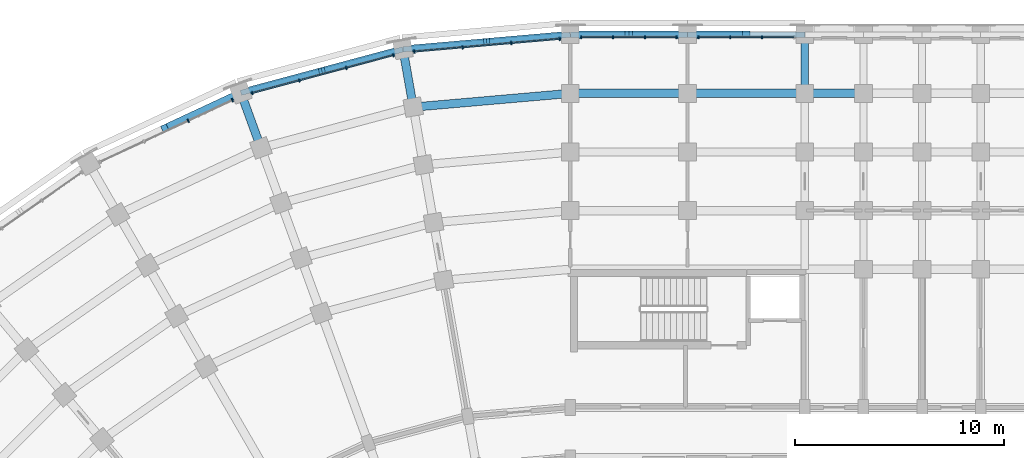
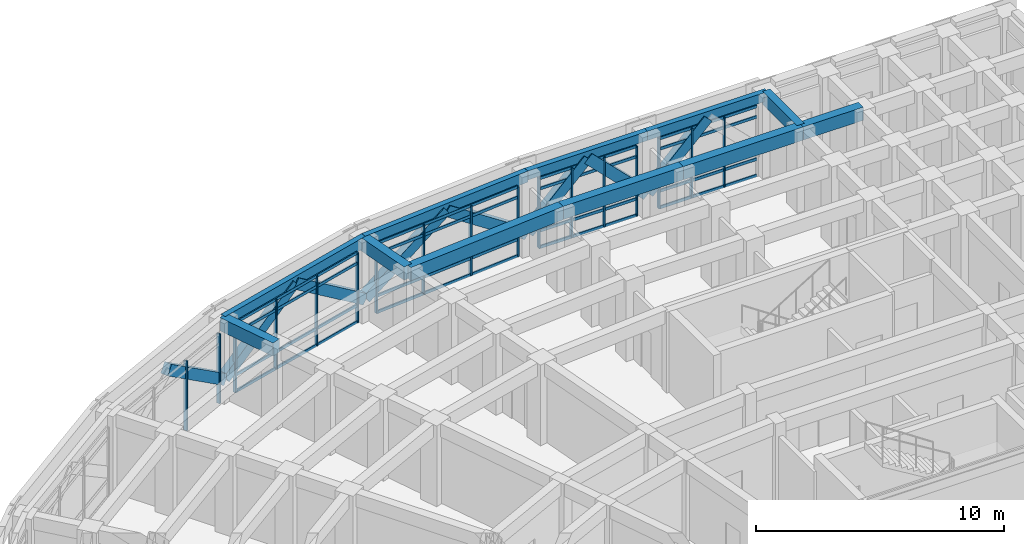
# One storey, part 37 of 97: 33 members, 19 beams, 5 elements without a shape of their own.
"""IFC4 building model written with IfcOpenShell, lengths in metres."""

from ifc_helpers import new_model, si_unit, direction, frame, origin, origin_2d, place, context, subcontext, project, spatial, rectangle, extrude, material, material_profile, profile_set, type_object, element, aggregate, save


model = new_model("IFC4")

# Units and contexts
model_context = context("Model", 3, precision=1e-05, world=origin(), true_north=direction((0.0, 1.0)))
body_context = subcontext(model_context, "Body", "Model", "MODEL_VIEW")
ifc_project = project(units=[si_unit("LENGTHUNIT", "METRE"), si_unit("AREAUNIT", "SQUARE_METRE"), si_unit("VOLUMEUNIT", "CUBIC_METRE"), si_unit("PLANEANGLEUNIT", "RADIAN"), si_unit("MASSUNIT", "GRAM", prefix="KILO")], contexts=[model_context])

# Site, building, storey
site_placement = place(None, origin())
site = spatial("IfcSite", under=ifc_project, at=site_placement, CompositionType="ELEMENT")
building_placement = place(site_placement, origin())
building = spatial("IfcBuilding", under=site, at=building_placement, Name="Kiranvali Square Residences", CompositionType="ELEMENT")
storey_placement = place(building_placement, frame((0.0, 0.0, 4.5)))
storey = spatial("IfcBuildingStorey", under=building, at=storey_placement, Name="L01", CompositionType="ELEMENT", Elevation=4.5)

# Beams
ifc_material_1 = material(Name="Concrete M40 (40 MPa)", Category="concrete")
ifc_material_profile_1 = material_profile(ifc_material_1, rectangle(XDim=0.35009765625, YDim=0.5, at=origin_2d()), Name="RC 350x500")
ifc_profile_set_1 = profile_set([ifc_material_profile_1], Name="Concrete M40 (40 MPa)")
beam_type_1 = type_object("IfcBeamType", Name="AR-M40-350x500", PredefinedType="USERDEFINED", material=ifc_profile_set_1)
for number, where, z_axis, x_axis, name in (
    (1, (48.16015625, 133.796630859375, 0.89990234375), (-0.818861711603, -0.07164281584, 0.569502242498), (0.087157794078, -0.996194518621, 0.0), "Classical pointed Ottoman arch rib ARCH-A-CRV-7-00.1"),
    (2, (44.2060546875, 133.45068359375, 3.64990234375), (-0.818861711603, -0.07164281584, -0.569502242498), (0.087157794078, -0.996194518621, 0.0), "Classical pointed Ottoman arch rib ARCH-A-CRV-7-00.2"),
    (3, (40.173583984375, 133.0908203125, 0.89990234375), (-0.793981793339, -0.212753144827, 0.56949891239), (0.2588262692, -0.965923890569, 0.0), "Classical pointed Ottoman arch rib ARCH-A-CRV-7-01.1"),
    (4, (36.339599609375, 132.0634765625, 3.64990234375), (-0.793981793339, -0.212753144827, -0.56949891239), (0.2588262692, -0.965923890569, 0.0), "Classical pointed Ottoman arch rib ARCH-A-CRV-7-01.2"),
    (5, (32.430908203125, 131.009033203125, 0.89990234375), (-0.744982317322, -0.347388768396, 0.56949309958), (0.422616071984, -0.906308808134, 0.0), "Classical pointed Ottoman arch rib ARCH-A-CRV-7-02.1"),
):
    element("IfcBeam", number, at=place(storey_placement, frame(where, z_axis=z_axis, x_axis=x_axis)), inside=storey, type_object=beam_type_1, Name=name, ObjectType="ARCH RIB", PredefinedType="USERDEFINED", context=body_context, shape_type="SweptSolid", body=[
        extrude(rectangle(XDim=0.35009765625, YDim=0.5, at=origin_2d()), origin(), (0.0, 0.0, 1.0), 4.828857421875),
    ])
for number, where, z_axis, x_axis, name in (
    (6, (48.239990234375, 133.800048828125, 0.89990234375), (0.708390178619, 0.0, 0.705821050151), (0.0, 1.0, 0.0), "Classical pointed Ottoman arch rib ARCH-A-A1-0.1"),
    (7, (51.0, 133.800048828125, 3.64990234375), (0.708390178619, 0.0, -0.705821050151), (0.0, 1.0, 0.0), "Classical pointed Ottoman arch rib ARCH-A-A1-0.2"),
    (8, (53.840087890625, 133.800048828125, 0.89990234375), (0.708390178619, 0.0, 0.705821050151), (0.0, 1.0, 0.0), "Classical pointed Ottoman arch rib ARCH-A-A1-1.1"),
):
    element("IfcBeam", number, at=place(storey_placement, frame(where, z_axis=z_axis, x_axis=x_axis)), inside=storey, type_object=beam_type_1, Name=name, ObjectType="ARCH RIB", PredefinedType="USERDEFINED", context=body_context, shape_type="SweptSolid", body=[
        extrude(rectangle(XDim=0.35009765625, YDim=0.5, at=origin_2d()), origin(), (0.0, 0.0, 1.0), 3.896240234375),
    ])
ifc_material_profile_2 = material_profile(ifc_material_1, rectangle(XDim=0.35009765625, YDim=0.64990234375, at=origin_2d()), Name="RC 350x650")
ifc_profile_set_2 = profile_set([ifc_material_profile_2], Name="Concrete M40 (40 MPa)")
beam_type_2 = type_object("IfcBeamType", Name="BM-M40-350x650", PredefinedType="BEAM", material=ifc_profile_set_2)
beam_1_placement = place(storey_placement, frame((59.39990234375, 131.0, 3.655029296875), z_axis=(0.0, 1.0, 0.0), x_axis=(-1.0, 0.0, 0.0)))
element("IfcBeam", 9, at=beam_1_placement, inside=storey, type_object=beam_type_2, Name="L01 beam BM-A-L01-A1T1-67", PredefinedType="BEAM", context=body_context, shape_type="SweptSolid", body=[
    extrude(rectangle(XDim=0.35009765625, YDim=0.64990234375, at=origin_2d()), origin(), (0.0, 0.0, 1.0), 2.800048828125),
])
ifc_material_2 = material(Name="Concrete M45 (45 MPa)", Category="concrete")
ifc_material_profile_3 = material_profile(ifc_material_2, rectangle(XDim=0.39990234375, YDim=0.64990234375, at=origin_2d()), Name="RC 400x650")
ifc_profile_set_3 = profile_set([ifc_material_profile_3], Name="Concrete M45 (45 MPa)")
beam_type_3 = type_object("IfcBeamType", Name="BM-M45-400x650", PredefinedType="BEAM", material=ifc_profile_set_3)
beam_2_placement = place(storey_placement, frame((48.199951171875, 131.0, 3.655029296875), z_axis=(-0.996195195417, -0.087150058103, 0.0), x_axis=(0.087150058103, -0.996195195417, 0.0)))
element("IfcBeam", 10, at=beam_2_placement, inside=storey, type_object=beam_type_3, Name="L01 beam BM-A-L01-C00-R6", PredefinedType="BEAM", context=body_context, shape_type="SweptSolid", body=[
    extrude(rectangle(XDim=0.39990234375, YDim=0.64990234375, at=origin_2d()), origin(), (0.0, 0.0, 1.0), 7.530029296875),
])
beam_3_placement = place(storey_placement, frame((40.698486328125, 130.34375, 3.655029296875), z_axis=(-0.173695795656, 0.984799355489, 0.0), x_axis=(-0.984799355489, -0.173695795656, 0.0)))
element("IfcBeam", 11, at=beam_3_placement, inside=storey, type_object=beam_type_3, Name="L01 beam BM-A-L01-RAD01-67", PredefinedType="BEAM", context=body_context, shape_type="SweptSolid", body=[
    extrude(rectangle(XDim=0.39990234375, YDim=0.64990234375, at=origin_2d()), origin(), (0.0, 0.0, 1.0), 2.7998046875),
])
beam_4_placement = place(storey_placement, frame((33.4248046875, 128.394775390625, 3.655029296875), z_axis=(-0.342058084236, 0.939678810556, 0.0), x_axis=(-0.939678810556, -0.342058084236, 0.0)))
element("IfcBeam", 12, at=beam_4_placement, inside=storey, type_object=beam_type_3, Name="L01 beam BM-A-L01-RAD02-67", PredefinedType="BEAM", context=body_context, shape_type="SweptSolid", body=[
    extrude(rectangle(XDim=0.39990234375, YDim=0.64990234375, at=origin_2d()), origin(), (0.0, 0.0, 1.0), 2.800048828125),
])
beam_5_placement = place(storey_placement, frame((48.199951171875, 131.0, 3.655029296875), z_axis=(1.0, 0.0, 0.0), x_axis=(0.0, 1.0, 0.0)))
element("IfcBeam", 13, at=beam_5_placement, inside=storey, type_object=beam_type_3, Name="L01 beam BM-A-L01-A1U0-R6", PredefinedType="BEAM", context=body_context, shape_type="SweptSolid", body=[
    extrude(rectangle(XDim=0.39990234375, YDim=0.64990234375, at=origin_2d()), origin(), (0.0, 0.0, 1.0), 5.60009765625),
])
beam_6_placement = place(storey_placement, frame((53.800048828125, 131.0, 3.655029296875), z_axis=(1.0, 0.0, 0.0), x_axis=(0.0, 1.0, 0.0)))
element("IfcBeam", 14, at=beam_6_placement, inside=storey, type_object=beam_type_3, Name="L01 beam BM-A-L01-A1U1-R6", PredefinedType="BEAM", context=body_context, shape_type="SweptSolid", body=[
    extrude(rectangle(XDim=0.39990234375, YDim=0.64990234375, at=origin_2d()), origin(), (0.0, 0.0, 1.0), 5.599853515625),
])
beam_7_placement = place(storey_placement, frame((59.39990234375, 131.0, 3.655029296875), z_axis=(1.0, 0.0, 0.0), x_axis=(0.0, 1.0, 0.0)))
element("IfcBeam", 15, at=beam_7_placement, inside=storey, type_object=beam_type_3, Name="L01 beam BM-A-L01-A1U2-R6", PredefinedType="BEAM", context=body_context, shape_type="SweptSolid", body=[
    extrude(rectangle(XDim=0.39990234375, YDim=0.64990234375, at=origin_2d()), origin(), (0.0, 0.0, 1.0), 2.800048828125),
])

# Curtain wall, members
ifc_material_3 = material(Name="Anodised bronze aluminium framing", Category="aluminium")
curtain_wall_type = type_object("IfcCurtainWallType", Name="CW-RET-SHOP", PredefinedType="USERDEFINED", material=ifc_material_3)
curtain_wall_1_placement = place(storey_placement, origin())
curtain_wall_1 = element("IfcCurtainWall", 16, at=curtain_wall_1_placement, inside=storey, type_object=curtain_wall_type, Name="Block A L01 rounded-corner arcade curtain wall 1", ObjectType="CURTAIN WALL", PredefinedType="USERDEFINED")
ifc_material_profile_4 = material_profile(ifc_material_3, rectangle(XDim=0.06494140625, YDim=0.159912109375, at=origin_2d()), Name="ALU 65x160")
ifc_profile_set_4 = profile_set([ifc_material_profile_4], Name="Anodised bronze aluminium framing")
member_type_1 = type_object("IfcMemberType", Name="CW-MUL-160", PredefinedType="MULLION", material=ifc_profile_set_4)
member_1_placement = place(storey_placement, frame((47.695068359375, 133.605224609375, 0.02001953125), z_axis=(0.0, 0.0, 1.0), x_axis=(-0.996194698092, -0.087155742748, 0.0)))
member_1 = element("IfcMember", 17, at=member_1_placement, type_object=member_type_1, Name="CW-A-L01-CRV-00 vertical mullion 1", PredefinedType="MULLION", context=body_context, shape_type="SweptSolid", body=[
    extrude(rectangle(XDim=0.06494140625, YDim=0.159912109375, at=origin_2d()), origin(), (0.0, 0.0, 1.0), 3.43994140625),
])
member_2_placement = place(storey_placement, frame((45.377685546875, 133.402587890625, 0.02001953125), z_axis=(0.0, 0.0, 1.0), x_axis=(-0.996194698092, -0.087155742748, 0.0)))
member_2 = element("IfcMember", 18, at=member_2_placement, type_object=member_type_1, Name="CW-A-L01-CRV-00 vertical mullion 2", PredefinedType="MULLION", context=body_context, shape_type="SweptSolid", body=[
    extrude(rectangle(XDim=0.06494140625, YDim=0.159912109375, at=origin_2d()), origin(), (0.0, 0.0, 1.0), 3.43994140625),
])
member_3_placement = place(storey_placement, frame((43.060546875, 133.19970703125, 0.02001953125), z_axis=(0.0, 0.0, 1.0), x_axis=(-0.996194698092, -0.087155742748, 0.0)))
member_3 = element("IfcMember", 19, at=member_3_placement, type_object=member_type_1, Name="CW-A-L01-CRV-00 vertical mullion 3", PredefinedType="MULLION", context=body_context, shape_type="SweptSolid", body=[
    extrude(rectangle(XDim=0.06494140625, YDim=0.159912109375, at=origin_2d()), origin(), (0.0, 0.0, 1.0), 3.43994140625),
])
member_4_placement = place(storey_placement, frame((40.7431640625, 132.9970703125, 0.02001953125), z_axis=(0.0, 0.0, 1.0), x_axis=(-0.996194698092, -0.087155742748, 0.0)))
member_4 = element("IfcMember", 20, at=member_4_placement, type_object=member_type_1, Name="CW-A-L01-CRV-00 vertical mullion 4", PredefinedType="MULLION", context=body_context, shape_type="SweptSolid", body=[
    extrude(rectangle(XDim=0.06494140625, YDim=0.159912109375, at=origin_2d()), origin(), (0.0, 0.0, 1.0), 3.43994140625),
])

curtain_wall_2_placement = place(storey_placement, origin())
curtain_wall_2 = element("IfcCurtainWall", 21, at=curtain_wall_2_placement, inside=storey, type_object=curtain_wall_type, Name="Block A L01 rounded-corner arcade curtain wall 2", ObjectType="CURTAIN WALL", PredefinedType="USERDEFINED")
member_5_placement = place(storey_placement, frame((39.748779296875, 132.82177734375, 0.02001953125), z_axis=(0.0, 0.0, 1.0), x_axis=(-0.965925826289, -0.258819045103, 0.0)))
member_5 = element("IfcMember", 22, at=member_5_placement, type_object=member_type_1, Name="CW-A-L01-CRV-01 vertical mullion 1", PredefinedType="MULLION", context=body_context, shape_type="SweptSolid", body=[
    extrude(rectangle(XDim=0.06494140625, YDim=0.159912109375, at=origin_2d()), origin(), (0.0, 0.0, 1.0), 3.43994140625),
])
member_6_placement = place(storey_placement, frame((37.501953125, 132.2197265625, 0.02001953125), z_axis=(0.0, 0.0, 1.0), x_axis=(-0.965925826289, -0.258819045103, 0.0)))
member_6 = element("IfcMember", 23, at=member_6_placement, type_object=member_type_1, Name="CW-A-L01-CRV-01 vertical mullion 2", PredefinedType="MULLION", context=body_context, shape_type="SweptSolid", body=[
    extrude(rectangle(XDim=0.06494140625, YDim=0.159912109375, at=origin_2d()), origin(), (0.0, 0.0, 1.0), 3.43994140625),
])
member_7_placement = place(storey_placement, frame((35.255126953125, 131.61767578125, 0.02001953125), z_axis=(0.0, 0.0, 1.0), x_axis=(-0.965925826289, -0.258819045103, 0.0)))
member_7 = element("IfcMember", 24, at=member_7_placement, type_object=member_type_1, Name="CW-A-L01-CRV-01 vertical mullion 3", PredefinedType="MULLION", context=body_context, shape_type="SweptSolid", body=[
    extrude(rectangle(XDim=0.06494140625, YDim=0.159912109375, at=origin_2d()), origin(), (0.0, 0.0, 1.0), 3.43994140625),
])
member_8_placement = place(storey_placement, frame((33.00830078125, 131.015625, 0.02001953125), z_axis=(0.0, 0.0, 1.0), x_axis=(-0.965925826289, -0.258819045103, 0.0)))
member_8 = element("IfcMember", 25, at=member_8_placement, type_object=member_type_1, Name="CW-A-L01-CRV-01 vertical mullion 4", PredefinedType="MULLION", context=body_context, shape_type="SweptSolid", body=[
    extrude(rectangle(XDim=0.06494140625, YDim=0.159912109375, at=origin_2d()), origin(), (0.0, 0.0, 1.0), 3.43994140625),
])

curtain_wall_3_placement = place(storey_placement, origin())
curtain_wall_3 = element("IfcCurtainWall", 26, at=curtain_wall_3_placement, inside=storey, type_object=curtain_wall_type, Name="Block A L01 rounded-corner arcade curtain wall 3", ObjectType="CURTAIN WALL", PredefinedType="USERDEFINED")
member_9_placement = place(storey_placement, frame((32.05908203125, 130.670166015625, 0.02001953125), z_axis=(0.0, 0.0, 1.0), x_axis=(-0.906307787037, -0.422618261741, 0.0)))
member_9 = element("IfcMember", 27, at=member_9_placement, type_object=member_type_1, Name="CW-A-L01-CRV-02 vertical mullion 1", PredefinedType="MULLION", context=body_context, shape_type="SweptSolid", body=[
    extrude(rectangle(XDim=0.06494140625, YDim=0.159912109375, at=origin_2d()), origin(), (0.0, 0.0, 1.0), 3.43994140625),
])
member_10_placement = place(storey_placement, frame((29.950927734375, 129.68701171875, 0.02001953125), z_axis=(0.0, 0.0, 1.0), x_axis=(-0.906307787037, -0.422618261741, 0.0)))
member_10 = element("IfcMember", 28, at=member_10_placement, type_object=member_type_1, Name="CW-A-L01-CRV-02 vertical mullion 2", PredefinedType="MULLION", context=body_context, shape_type="SweptSolid", body=[
    extrude(rectangle(XDim=0.06494140625, YDim=0.159912109375, at=origin_2d()), origin(), (0.0, 0.0, 1.0), 3.43994140625),
])
aggregate(curtain_wall_3, [member_9, member_10])

curtain_wall_4_placement = place(storey_placement, origin())
curtain_wall_4 = element("IfcCurtainWall", 29, at=curtain_wall_4_placement, inside=storey, type_object=curtain_wall_type, Name="L01 curtain wall CW-A-L01-A1-0", ObjectType="CURTAIN WALL", PredefinedType="USERDEFINED")
member_11_placement = place(storey_placement, frame((48.719970703125, 133.679931640625, 0.02001953125), z_axis=(0.0, 0.0, 1.0), x_axis=(1.0, 0.0, 0.0)))
member_11 = element("IfcMember", 30, at=member_11_placement, type_object=member_type_1, Name="CW-A-L01-A1-0 vertical mullion 1", PredefinedType="MULLION", context=body_context, shape_type="SweptSolid", body=[
    extrude(rectangle(XDim=0.06494140625, YDim=0.159912109375, at=origin_2d()), origin(), (0.0, 0.0, 1.0), 3.43994140625),
])
member_12_placement = place(storey_placement, frame((50.239990234375, 133.679931640625, 0.02001953125), z_axis=(0.0, 0.0, 1.0), x_axis=(1.0, 0.0, 0.0)))
member_12 = element("IfcMember", 31, at=member_12_placement, type_object=member_type_1, Name="CW-A-L01-A1-0 vertical mullion 2", PredefinedType="MULLION", context=body_context, shape_type="SweptSolid", body=[
    extrude(rectangle(XDim=0.06494140625, YDim=0.159912109375, at=origin_2d()), origin(), (0.0, 0.0, 1.0), 3.43994140625),
])
member_13_placement = place(storey_placement, frame((51.760009765625, 133.679931640625, 0.02001953125), z_axis=(0.0, 0.0, 1.0), x_axis=(1.0, 0.0, 0.0)))
member_13 = element("IfcMember", 32, at=member_13_placement, type_object=member_type_1, Name="CW-A-L01-A1-0 vertical mullion 3", PredefinedType="MULLION", context=body_context, shape_type="SweptSolid", body=[
    extrude(rectangle(XDim=0.06494140625, YDim=0.159912109375, at=origin_2d()), origin(), (0.0, 0.0, 1.0), 3.43994140625),
])
member_14_placement = place(storey_placement, frame((53.280029296875, 133.679931640625, 0.02001953125), z_axis=(0.0, 0.0, 1.0), x_axis=(1.0, 0.0, 0.0)))
member_14 = element("IfcMember", 33, at=member_14_placement, type_object=member_type_1, Name="CW-A-L01-A1-0 vertical mullion 4", PredefinedType="MULLION", context=body_context, shape_type="SweptSolid", body=[
    extrude(rectangle(XDim=0.06494140625, YDim=0.159912109375, at=origin_2d()), origin(), (0.0, 0.0, 1.0), 3.43994140625),
])

curtain_wall_5_placement = place(storey_placement, origin())
curtain_wall_5 = element("IfcCurtainWall", 34, at=curtain_wall_5_placement, inside=storey, type_object=curtain_wall_type, Name="L01 curtain wall CW-A-L01-A1-1", ObjectType="CURTAIN WALL", PredefinedType="USERDEFINED")
member_15_placement = place(storey_placement, frame((54.320068359375, 133.679931640625, 0.02001953125), z_axis=(0.0, 0.0, 1.0), x_axis=(1.0, 0.0, 0.0)))
member_15 = element("IfcMember", 35, at=member_15_placement, type_object=member_type_1, Name="CW-A-L01-A1-1 vertical mullion 1", PredefinedType="MULLION", context=body_context, shape_type="SweptSolid", body=[
    extrude(rectangle(XDim=0.06494140625, YDim=0.159912109375, at=origin_2d()), origin(), (0.0, 0.0, 1.0), 3.43994140625),
])
member_16_placement = place(storey_placement, frame((55.840087890625, 133.679931640625, 0.02001953125), z_axis=(0.0, 0.0, 1.0), x_axis=(1.0, 0.0, 0.0)))
member_16 = element("IfcMember", 36, at=member_16_placement, type_object=member_type_1, Name="CW-A-L01-A1-1 vertical mullion 2", PredefinedType="MULLION", context=body_context, shape_type="SweptSolid", body=[
    extrude(rectangle(XDim=0.06494140625, YDim=0.159912109375, at=origin_2d()), origin(), (0.0, 0.0, 1.0), 3.43994140625),
])
member_17_placement = place(storey_placement, frame((57.360107421875, 133.679931640625, 0.02001953125), z_axis=(0.0, 0.0, 1.0), x_axis=(1.0, 0.0, 0.0)))
member_17 = element("IfcMember", 37, at=member_17_placement, type_object=member_type_1, Name="CW-A-L01-A1-1 vertical mullion 3", PredefinedType="MULLION", context=body_context, shape_type="SweptSolid", body=[
    extrude(rectangle(XDim=0.06494140625, YDim=0.159912109375, at=origin_2d()), origin(), (0.0, 0.0, 1.0), 3.43994140625),
])

# Member
ifc_material_profile_5 = material_profile(ifc_material_3, rectangle(XDim=0.06494140625, YDim=0.139892578125, at=origin_2d()), Name="ALU 65x140")
ifc_profile_set_5 = profile_set([ifc_material_profile_5], Name="Anodised bronze aluminium framing")
member_type_2 = type_object("IfcMemberType", Name="CW-TRN-140", PredefinedType="MULLION", material=ifc_profile_set_5)
member_18_placement = place(storey_placement, frame((47.68505859375, 133.6044921875, 0.0400390625), z_axis=(-0.996191851174, -0.087188277046, 0.0), x_axis=(0.087188277046, -0.996191851174, 0.0)))
member_18 = element("IfcMember", 38, at=member_18_placement, type_object=member_type_2, Name="CW-A-L01-CRV-00 horizontal transom 1", PredefinedType="MULLION", context=body_context, shape_type="SweptSolid", body=[
    extrude(rectangle(XDim=0.06494140625, YDim=0.139892578125, at=origin_2d()), origin(), (0.0, 0.0, 1.0), 6.95849609375),
])

member_19_placement = place(storey_placement, frame((47.68505859375, 133.6044921875, 0.85009765625), z_axis=(-0.996191851174, -0.087188277046, 0.0), x_axis=(0.087188277046, -0.996191851174, 0.0)))
member_19 = element("IfcMember", 39, at=member_19_placement, type_object=member_type_2, Name="CW-A-L01-CRV-00 horizontal transom 2", PredefinedType="MULLION", context=body_context, shape_type="SweptSolid", body=[
    extrude(rectangle(XDim=0.06494140625, YDim=0.139892578125, at=origin_2d()), origin(), (0.0, 0.0, 1.0), 6.95849609375),
])

member_20_placement = place(storey_placement, frame((47.68505859375, 133.6044921875, 2.929931640625), z_axis=(-0.996191851174, -0.087188277046, 0.0), x_axis=(0.087188277046, -0.996191851174, 0.0)))
member_20 = element("IfcMember", 40, at=member_20_placement, type_object=member_type_2, Name="CW-A-L01-CRV-00 horizontal transom 3", PredefinedType="MULLION", context=body_context, shape_type="SweptSolid", body=[
    extrude(rectangle(XDim=0.06494140625, YDim=0.139892578125, at=origin_2d()), origin(), (0.0, 0.0, 1.0), 6.95849609375),
])

member_21_placement = place(storey_placement, frame((47.68505859375, 133.6044921875, 3.43994140625), z_axis=(-0.996191851174, -0.087188277046, 0.0), x_axis=(0.087188277046, -0.996191851174, 0.0)))
member_21 = element("IfcMember", 41, at=member_21_placement, type_object=member_type_2, Name="CW-A-L01-CRV-00 horizontal transom 4", PredefinedType="MULLION", context=body_context, shape_type="SweptSolid", body=[
    extrude(rectangle(XDim=0.06494140625, YDim=0.139892578125, at=origin_2d()), origin(), (0.0, 0.0, 1.0), 6.95849609375),
])

aggregate(curtain_wall_1, [member_1, member_2, member_3, member_4, member_18, member_19, member_20, member_21])

member_22_placement = place(storey_placement, frame((39.739013671875, 132.819091796875, 0.0400390625), z_axis=(-0.96592267958, -0.258830788495, 0.0), x_axis=(0.258830788495, -0.96592267958, 0.0)))
member_22 = element("IfcMember", 42, at=member_22_placement, type_object=member_type_2, Name="CW-A-L01-CRV-01 horizontal transom 1", PredefinedType="MULLION", context=body_context, shape_type="SweptSolid", body=[
    extrude(rectangle(XDim=0.06494140625, YDim=0.139892578125, at=origin_2d()), origin(), (0.0, 0.0, 1.0), 6.958251953125),
])

member_23_placement = place(storey_placement, frame((39.739013671875, 132.819091796875, 0.85009765625), z_axis=(-0.96592267958, -0.258830788495, 0.0), x_axis=(0.258830788495, -0.96592267958, 0.0)))
member_23 = element("IfcMember", 43, at=member_23_placement, type_object=member_type_2, Name="CW-A-L01-CRV-01 horizontal transom 2", PredefinedType="MULLION", context=body_context, shape_type="SweptSolid", body=[
    extrude(rectangle(XDim=0.06494140625, YDim=0.139892578125, at=origin_2d()), origin(), (0.0, 0.0, 1.0), 6.958251953125),
])

member_24_placement = place(storey_placement, frame((39.739013671875, 132.819091796875, 2.929931640625), z_axis=(-0.96592267958, -0.258830788495, 0.0), x_axis=(0.258830788495, -0.96592267958, 0.0)))
member_24 = element("IfcMember", 44, at=member_24_placement, type_object=member_type_2, Name="CW-A-L01-CRV-01 horizontal transom 3", PredefinedType="MULLION", context=body_context, shape_type="SweptSolid", body=[
    extrude(rectangle(XDim=0.06494140625, YDim=0.139892578125, at=origin_2d()), origin(), (0.0, 0.0, 1.0), 6.958251953125),
])

member_25_placement = place(storey_placement, frame((39.739013671875, 132.819091796875, 3.43994140625), z_axis=(-0.96592267958, -0.258830788495, 0.0), x_axis=(0.258830788495, -0.96592267958, 0.0)))
member_25 = element("IfcMember", 45, at=member_25_placement, type_object=member_type_2, Name="CW-A-L01-CRV-01 horizontal transom 4", PredefinedType="MULLION", context=body_context, shape_type="SweptSolid", body=[
    extrude(rectangle(XDim=0.06494140625, YDim=0.139892578125, at=origin_2d()), origin(), (0.0, 0.0, 1.0), 6.958251953125),
])

aggregate(curtain_wall_2, [member_5, member_6, member_7, member_8, member_22, member_23, member_24, member_25])

member_26_placement = place(storey_placement, frame((48.72998046875, 133.679931640625, 0.0400390625), z_axis=(1.0, 0.0, 0.0), x_axis=(0.0, 1.0, 0.0)))
member_26 = element("IfcMember", 46, at=member_26_placement, type_object=member_type_2, Name="CW-A-L01-A1-0 horizontal transom 1", PredefinedType="MULLION", context=body_context, shape_type="SweptSolid", body=[
    extrude(rectangle(XDim=0.06494140625, YDim=0.139892578125, at=origin_2d()), origin(), (0.0, 0.0, 1.0), 4.5400390625),
])

member_27_placement = place(storey_placement, frame((48.72998046875, 133.679931640625, 0.85009765625), z_axis=(1.0, 0.0, 0.0), x_axis=(0.0, 1.0, 0.0)))
member_27 = element("IfcMember", 47, at=member_27_placement, type_object=member_type_2, Name="CW-A-L01-A1-0 horizontal transom 2", PredefinedType="MULLION", context=body_context, shape_type="SweptSolid", body=[
    extrude(rectangle(XDim=0.06494140625, YDim=0.139892578125, at=origin_2d()), origin(), (0.0, 0.0, 1.0), 4.5400390625),
])

member_28_placement = place(storey_placement, frame((48.72998046875, 133.679931640625, 2.929931640625), z_axis=(1.0, 0.0, 0.0), x_axis=(0.0, 1.0, 0.0)))
member_28 = element("IfcMember", 48, at=member_28_placement, type_object=member_type_2, Name="CW-A-L01-A1-0 horizontal transom 3", PredefinedType="MULLION", context=body_context, shape_type="SweptSolid", body=[
    extrude(rectangle(XDim=0.06494140625, YDim=0.139892578125, at=origin_2d()), origin(), (0.0, 0.0, 1.0), 4.5400390625),
])

member_29_placement = place(storey_placement, frame((48.72998046875, 133.679931640625, 3.43994140625), z_axis=(1.0, 0.0, 0.0), x_axis=(0.0, 1.0, 0.0)))
member_29 = element("IfcMember", 49, at=member_29_placement, type_object=member_type_2, Name="CW-A-L01-A1-0 horizontal transom 4", PredefinedType="MULLION", context=body_context, shape_type="SweptSolid", body=[
    extrude(rectangle(XDim=0.06494140625, YDim=0.139892578125, at=origin_2d()), origin(), (0.0, 0.0, 1.0), 4.5400390625),
])

aggregate(curtain_wall_4, [member_11, member_12, member_13, member_14, member_26, member_27, member_28, member_29])

member_30_placement = place(storey_placement, frame((54.330078125, 133.679931640625, 0.0400390625), z_axis=(1.0, 0.0, 0.0), x_axis=(0.0, 1.0, 0.0)))
member_30 = element("IfcMember", 50, at=member_30_placement, type_object=member_type_2, Name="CW-A-L01-A1-1 horizontal transom 1", PredefinedType="MULLION", context=body_context, shape_type="SweptSolid", body=[
    extrude(rectangle(XDim=0.06494140625, YDim=0.139892578125, at=origin_2d()), origin(), (0.0, 0.0, 1.0), 4.5400390625),
])

member_31_placement = place(storey_placement, frame((54.330078125, 133.679931640625, 0.85009765625), z_axis=(1.0, 0.0, 0.0), x_axis=(0.0, 1.0, 0.0)))
member_31 = element("IfcMember", 51, at=member_31_placement, type_object=member_type_2, Name="CW-A-L01-A1-1 horizontal transom 2", PredefinedType="MULLION", context=body_context, shape_type="SweptSolid", body=[
    extrude(rectangle(XDim=0.06494140625, YDim=0.139892578125, at=origin_2d()), origin(), (0.0, 0.0, 1.0), 4.5400390625),
])

member_32_placement = place(storey_placement, frame((54.330078125, 133.679931640625, 2.929931640625), z_axis=(1.0, 0.0, 0.0), x_axis=(0.0, 1.0, 0.0)))
member_32 = element("IfcMember", 52, at=member_32_placement, type_object=member_type_2, Name="CW-A-L01-A1-1 horizontal transom 3", PredefinedType="MULLION", context=body_context, shape_type="SweptSolid", body=[
    extrude(rectangle(XDim=0.06494140625, YDim=0.139892578125, at=origin_2d()), origin(), (0.0, 0.0, 1.0), 4.5400390625),
])

member_33_placement = place(storey_placement, frame((54.330078125, 133.679931640625, 3.43994140625), z_axis=(1.0, 0.0, 0.0), x_axis=(0.0, 1.0, 0.0)))
member_33 = element("IfcMember", 53, at=member_33_placement, type_object=member_type_2, Name="CW-A-L01-A1-1 horizontal transom 4", PredefinedType="MULLION", context=body_context, shape_type="SweptSolid", body=[
    extrude(rectangle(XDim=0.06494140625, YDim=0.139892578125, at=origin_2d()), origin(), (0.0, 0.0, 1.0), 4.5400390625),
])

aggregate(curtain_wall_5, [member_15, member_16, member_17, member_30, member_31, member_32, member_33])

# Beams
ifc_material_profile_6 = material_profile(ifc_material_1, rectangle(XDim=0.25, YDim=0.449951171875, at=origin_2d()), Name="RC 250x450")
ifc_profile_set_6 = profile_set([ifc_material_profile_6], Name="Concrete M40 (40 MPa)")
beam_type_4 = type_object("IfcBeamType", Name="SPN-M40-250x450", PredefinedType="SPANDREL", material=ifc_profile_set_6)
beam_8_placement = place(storey_placement, frame((48.199951171875, 133.800048828125, 3.7548828125), z_axis=(1.0, 0.0, 0.0), x_axis=(0.0, 1.0, 0.0)))
element("IfcBeam", 54, at=beam_8_placement, inside=storey, type_object=beam_type_4, Name="L01 beam BM-A-L01-A1U0-R7", PredefinedType="SPANDREL", context=body_context, shape_type="SweptSolid", body=[
    extrude(rectangle(XDim=0.25, YDim=0.449951171875, at=origin_2d()), origin(), (0.0, 0.0, 1.0), 5.60009765625),
])
beam_9_placement = place(storey_placement, frame((53.800048828125, 133.800048828125, 3.7548828125), z_axis=(1.0, 0.0, 0.0), x_axis=(0.0, 1.0, 0.0)))
element("IfcBeam", 55, at=beam_9_placement, inside=storey, type_object=beam_type_4, Name="L01 beam BM-A-L01-A1U1-R7", PredefinedType="SPANDREL", context=body_context, shape_type="SweptSolid", body=[
    extrude(rectangle(XDim=0.25, YDim=0.449951171875, at=origin_2d()), origin(), (0.0, 0.0, 1.0), 5.599853515625),
])
ifc_material_profile_7 = material_profile(ifc_material_1, rectangle(XDim=0.25, YDim=0.550048828125, at=origin_2d()), Name="RC 250x550")
ifc_profile_set_7 = profile_set([ifc_material_profile_7], Name="Concrete M40 (40 MPa)")
beam_type_5 = type_object("IfcBeamType", Name="SPN-M40-250x550", PredefinedType="SPANDREL", material=ifc_profile_set_7)
for number, where, z_axis, x_axis, name in (
    (56, (48.199951171875, 133.800048828125, 3.705078125), (-0.996193254792, -0.087172238171, 0.0), (0.087172238171, -0.996193254792, 0.0), "L01 beam BM-A-L01-C00-R7"),
    (57, (40.212158203125, 133.10107421875, 3.705078125), (-0.96592902462, -0.258807108475, 0.0), (0.258807108475, -0.96592902462, 0.0), "L01 beam BM-A-L01-C01-R7"),
):
    element("IfcBeam", number, at=place(storey_placement, frame(where, z_axis=z_axis, x_axis=x_axis)), inside=storey, type_object=beam_type_5, Name=name, PredefinedType="SPANDREL", context=body_context, shape_type="SweptSolid", body=[
        extrude(rectangle(XDim=0.25, YDim=0.550048828125, at=origin_2d()), origin(), (0.0, 0.0, 1.0), 8.018310546875),
    ])

save(model, "model.ifc")
